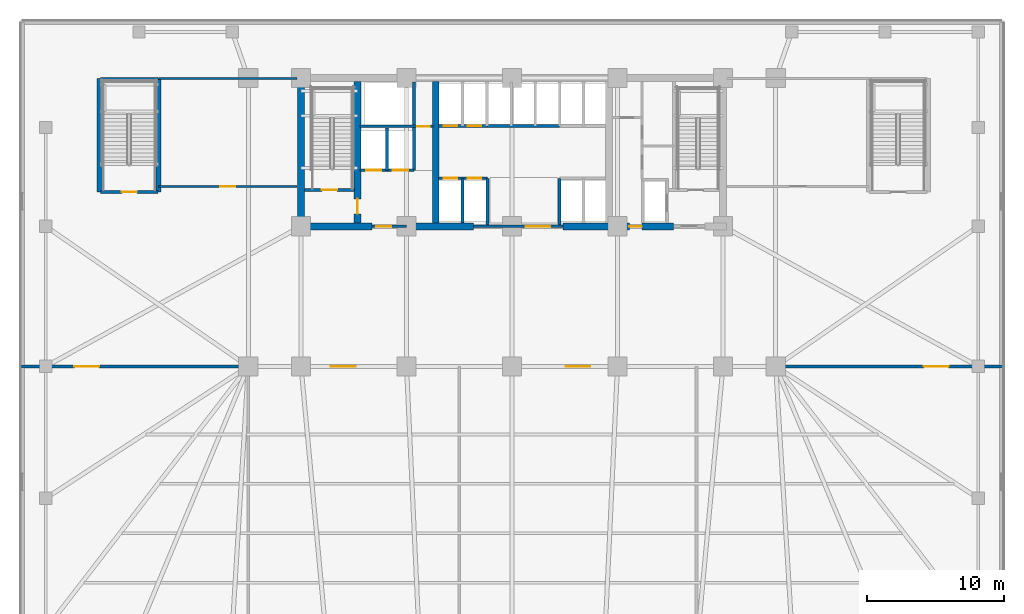
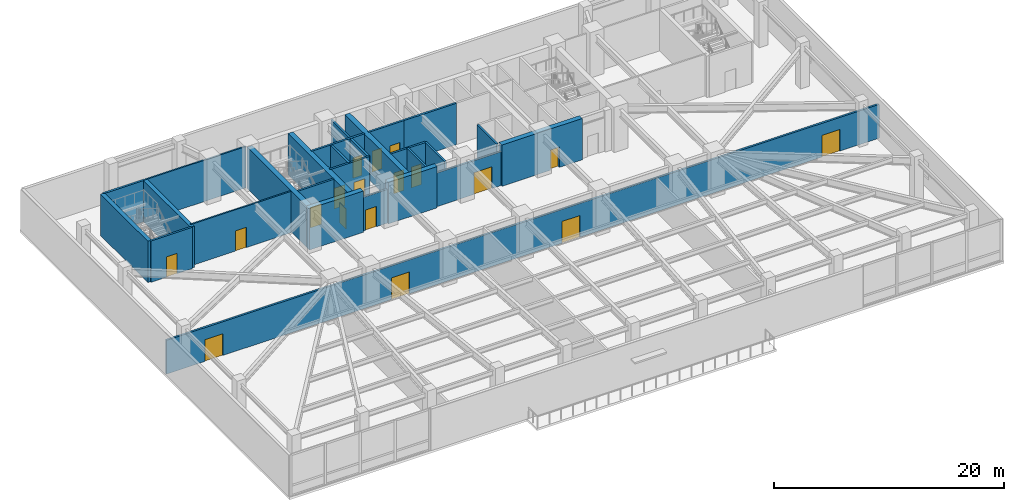
# One storey, part 8 of 15: 26 walls, 18 doors, 18 openings.
"""IFC4 building model written with IfcOpenShell, lengths in metres."""

from ifc_helpers import new_model, si_unit, direction, frame, frame_2d, origin, place, context, subcontext, project, spatial, rectangle, extrude, material, layer, layer_set, type_object, element, fill, save


model = new_model("IFC4")

# Units and contexts
model_context = context("Model", 3, precision=1e-05, world=origin(), true_north=direction((0.0, 1.0)))
body_context = subcontext(model_context, "Body", "Model", "MODEL_VIEW")
ifc_project = project(units=[si_unit("LENGTHUNIT", "METRE"), si_unit("AREAUNIT", "SQUARE_METRE"), si_unit("VOLUMEUNIT", "CUBIC_METRE"), si_unit("PLANEANGLEUNIT", "RADIAN"), si_unit("MASSUNIT", "GRAM", prefix="KILO")], contexts=[model_context])

# Site, building, storey
site_placement = place(None, origin())
site = spatial("IfcSite", under=ifc_project, at=site_placement, CompositionType="ELEMENT")
building_placement = place(site_placement, origin())
building = spatial("IfcBuilding", under=site, at=building_placement, Name="Yelkora Congress Tower", CompositionType="ELEMENT")
storey_placement = place(building_placement, frame((0.0, 0.0, 20.39990234375)))
storey = spatial("IfcBuildingStorey", under=building, at=storey_placement, Name="L04", CompositionType="ELEMENT", Elevation=20.39990234375)

# Walls
ifc_material_1 = material(Name="Concrete C50/60", Category="concrete")
ifc_layer_1 = layer(ifc_material_1, 0.39990234375)
ifc_layer_set_1 = layer_set([ifc_layer_1], Name="Concrete C50/60")
wall_type_1 = type_object("IfcWallType", Name="WALL-CORE-INT-400", PredefinedType="SHEAR", material=ifc_layer_set_1)
for number, where, z_axis, x_axis, name in (
    (1, (8.39990234375, 37.89990234375, 0.0), (0.0, 0.0, 1.0), (0.0, 1.0, 0.0), "L04 STP1 West Shear Wall"),
    (2, (12.659912109375, 37.89990234375, 0.0), (0.0, 0.0, 1.0), (0.0, 1.0, 0.0), "L04 STP1 East Shear Wall"),
):
    element("IfcWall", number, at=place(storey_placement, frame(where, z_axis=z_axis, x_axis=x_axis)), inside=storey, type_object=wall_type_1, Name=name, PredefinedType="SHEAR", context=body_context, shape_type="SweptSolid", body=[
        extrude(rectangle(XDim=8.25, YDim=0.39990234375, at=frame_2d((4.125, 0.0))), origin(), (0.0, 0.0, 1.0), 4.380126953125),
    ])
ifc_material_2 = material(Name="Concrete C60/75", Category="concrete")
ifc_layer_2 = layer(ifc_material_2, 0.5)
ifc_layer_set_2 = layer_set([ifc_layer_2], Name="Concrete C60/75")
wall_type_2 = type_object("IfcWallType", Name="WALL-CORE-INT-500", PredefinedType="SHEAR", material=ifc_layer_set_2)
wall_1_placement = place(storey_placement, frame((22.7900390625, 35.39990234375, 0.0), z_axis=(0.0, 0.0, 1.0), x_axis=(1.0, 0.0, 0.0)))
element("IfcWall", 3, at=wall_1_placement, inside=storey, type_object=wall_type_2, Name="L04 Rear Core South-West Shear Wall", PredefinedType="SHEAR", context=body_context, shape_type="SweptSolid", body=[
    extrude(rectangle(XDim=5.409912109375, YDim=0.5, at=frame_2d((2.705078125, 0.0))), origin(), (0.0, 0.0, 1.0), 4.380126953125),
])
wall_2_placement = place(storey_placement, frame((30.719970703125, 35.39990234375, 0.0), z_axis=(0.0, 0.0, 1.0), x_axis=(1.0, 0.0, 0.0)))
element("IfcWall", 4, at=wall_2_placement, inside=storey, type_object=wall_type_2, Name="L04 Rear Core South-Center Shear Pier", PredefinedType="SHEAR", context=body_context, shape_type="SweptSolid", body=[
    extrude(rectangle(XDim=4.880126953125, YDim=0.5, at=frame_2d((2.43994140625, 0.0))), origin(), (0.0, 0.0, 1.0), 4.380126953125),
])

# Wall, opening, door
wall_3_placement = place(storey_placement, frame((42.10009765625, 35.39990234375, 0.0), z_axis=(0.0, 0.0, 1.0), x_axis=(1.0, 0.0, 0.0)))
wall_3 = element("IfcWall", 5, at=wall_3_placement, inside=storey, type_object=wall_type_2, Name="L04 Rear Core South-East Shear Wall A", PredefinedType="SHEAR", context=body_context, shape_type="SweptSolid", body=[
    extrude(rectangle(XDim=8.0498046875, YDim=0.5, at=frame_2d((4.02490234375, 0.0))), origin(), (0.0, 0.0, 1.0), 4.380126953125),
])
opening_1_placement = place(wall_3_placement, frame((4.85009765625, 0.0, 0.0)))
opening_1 = element("IfcOpeningElement", 6, at=opening_1_placement, cuts=wall_3, Name="Opening DR-090F6", PredefinedType="OPENING", context=body_context, shape_type="SweptSolid", body=[
    extrude(rectangle(XDim=0.89990234375, YDim=2.14990234375, at=frame_2d((0.449951171875, 1.074951171875))), frame((0.0, 0.260009765625, 0.0), z_axis=(0.0, -1.0, 0.0), x_axis=(1.0, 0.0, 0.0)), (0.0, 0.0, 1.0), 0.52001953125),
])
ifc_material_3 = material(Name="Painted steel riser fire door leaf", Category="steel")
door_type_1 = type_object("IfcDoorType", Name="DOOR-FD60-900", OperationType="NOTDEFINED", PredefinedType="DOOR", material=ifc_material_3)
door_1_placement = place(opening_1_placement, origin())
door_1 = element("IfcDoor", 7, at=door_1_placement, inside=storey, type_object=door_type_1, Name="L04 Core Washroom Lobby Door", OperationType="SINGLE_SWING_RIGHT", OverallHeight=2.14990234375, OverallWidth=0.89990234375, PredefinedType="DOOR", context=body_context, shape_type="SweptSolid", body=[
    extrude(rectangle(XDim=0.89990234375, YDim=2.14990234375, at=frame_2d((0.449951171875, 1.074951171875))), frame((0.0, 0.02490234375, 0.0), z_axis=(0.0, -1.0, 0.0), x_axis=(1.0, 0.0, 0.0)), (0.0, 0.0, 1.0), 0.050048828125),
])
fill(opening_1, door_1)

# Wall
wall_4_placement = place(storey_placement, frame((23.0400390625, 35.64990234375, 0.0), z_axis=(0.0, 0.0, 1.0), x_axis=(0.0, 1.0, 0.0)))
element("IfcWall", 8, at=wall_4_placement, inside=storey, type_object=wall_type_2, Name="L04 Rear Core Cross Shear Wall W", PredefinedType="SHEAR", context=body_context, shape_type="SweptSolid", body=[
    extrude(rectangle(XDim=10.300048828125, YDim=0.5, at=frame_2d((5.14990234375, 0.0))), origin(), (0.0, 0.0, 1.0), 4.380126953125),
])

# Wall, opening, door
wall_5_placement = place(storey_placement, frame((27.14990234375, 35.64990234375, 0.0), z_axis=(0.0, 0.0, 1.0), x_axis=(0.0, 1.0, 0.0)))
wall_5 = element("IfcWall", 9, at=wall_5_placement, inside=storey, type_object=wall_type_2, Name="L04 Rear Core Cross Shear Wall C1", PredefinedType="SHEAR", context=body_context, shape_type="SweptSolid", body=[
    extrude(rectangle(XDim=10.300048828125, YDim=0.5, at=frame_2d((5.14990234375, 0.0))), origin(), (0.0, 0.0, 1.0), 4.380126953125),
])
opening_2_placement = place(wall_5_placement, frame((0.64990234375, 0.0, 0.0)))
opening_2 = element("IfcOpeningElement", 10, at=opening_2_placement, cuts=wall_5, Name="Opening DR-110F9", PredefinedType="OPENING", context=body_context, shape_type="SweptSolid", body=[
    extrude(rectangle(XDim=1.10009765625, YDim=2.14990234375, at=frame_2d((0.550048828125, 1.074951171875))), frame((0.0, 0.260009765625, 0.0), z_axis=(0.0, -1.0, 0.0), x_axis=(1.0, 0.0, 0.0)), (0.0, 0.0, 1.0), 0.52001953125),
])
ifc_material_4 = material(Name="Galvanised steel fire door leaf", Category="steel")
door_type_2 = type_object("IfcDoorType", Name="DOOR-FD90-1100", OperationType="NOTDEFINED", PredefinedType="DOOR", material=ifc_material_4)
door_2_placement = place(opening_2_placement, origin())
door_2 = element("IfcDoor", 11, at=door_2_placement, inside=storey, type_object=door_type_2, Name="L04 Firefighting Stair Transfer Door", OperationType="SINGLE_SWING_LEFT", OverallHeight=2.14990234375, OverallWidth=1.10009765625, PredefinedType="DOOR", context=body_context, shape_type="SweptSolid", body=[
    extrude(rectangle(XDim=1.10009765625, YDim=2.14990234375, at=frame_2d((0.550048828125, 1.074951171875))), frame((0.0, 0.02490234375, 0.0), z_axis=(0.0, -1.0, 0.0), x_axis=(1.0, 0.0, 0.0)), (0.0, 0.0, 1.0), 0.050048828125),
])
fill(opening_2, door_2)

# Wall
wall_6_placement = place(storey_placement, frame((32.85009765625, 35.64990234375, 0.0), z_axis=(0.0, 0.0, 1.0), x_axis=(0.0, 1.0, 0.0)))
element("IfcWall", 12, at=wall_6_placement, inside=storey, type_object=wall_type_2, Name="L04 Rear Core Cross Shear Wall C2", PredefinedType="SHEAR", context=body_context, shape_type="SweptSolid", body=[
    extrude(rectangle(XDim=10.300048828125, YDim=0.5, at=frame_2d((5.14990234375, 0.0))), origin(), (0.0, 0.0, 1.0), 4.380126953125),
])

# Wall, opening, door
ifc_material_5 = material(Name="Acoustic metal-stud gypsum partition", Category="gypsum")
ifc_layer_3 = layer(ifc_material_5, 0.14990234375)
ifc_layer_set_3 = layer_set([ifc_layer_3], Name="Acoustic metal-stud gypsum partition")
wall_type_3 = type_object("IfcWallType", Name="WALL-INT-150-NR", PredefinedType="PARTITIONING", material=ifc_layer_set_3)
wall_7_placement = place(storey_placement, frame((12.64990234375, 38.300048828125, 0.0), z_axis=(0.0, 0.0, 1.0), x_axis=(1.0, 0.0, 0.0)))
wall_7 = element("IfcWall", 13, at=wall_7_placement, inside=storey, type_object=wall_type_3, Name="L04 Partition Wall 35", PredefinedType="PARTITIONING", context=body_context, shape_type="SweptSolid", body=[
    extrude(rectangle(XDim=10.10009765625, YDim=0.14990234375, at=frame_2d((5.050048828125, 0.0))), origin(), (0.0, 0.0, 1.0), 4.380126953125),
])
opening_3_placement = place(wall_7_placement, frame((4.5, 0.0, 0.0)))
opening_3 = element("IfcOpeningElement", 14, at=opening_3_placement, cuts=wall_7, Name="Opening DR-110N", PredefinedType="OPENING", context=body_context, shape_type="SweptSolid", body=[
    extrude(rectangle(XDim=1.10009765625, YDim=2.14990234375, at=frame_2d((0.550048828125, 1.074951171875))), frame((0.0, 0.0849609375, 0.0), z_axis=(0.0, -1.0, 0.0), x_axis=(1.0, 0.0, 0.0)), (0.0, 0.0, 1.0), 0.169921875),
])
ifc_material_6 = material(Name="Solid-core Anatolian oak veneer door", Category="wood")
door_type_3 = type_object("IfcDoorType", Name="DOOR-INT-1100", OperationType="NOTDEFINED", PredefinedType="DOOR", material=ifc_material_6)
door_3_placement = place(opening_3_placement, origin())
door_3 = element("IfcDoor", 15, at=door_3_placement, inside=storey, type_object=door_type_3, Name="L04 Interior Door 19", OperationType="SINGLE_SWING_LEFT", OverallHeight=2.14990234375, OverallWidth=1.10009765625, PredefinedType="DOOR", context=body_context, shape_type="SweptSolid", body=[
    extrude(rectangle(XDim=1.10009765625, YDim=2.14990234375, at=frame_2d((0.550048828125, 1.074951171875))), frame((0.0, 0.02490234375, 0.0), z_axis=(0.0, -1.0, 0.0), x_axis=(1.0, 0.0, 0.0)), (0.0, 0.0, 1.0), 0.050048828125),
])
fill(opening_3, door_3)

# Wall
wall_8_placement = place(storey_placement, frame((12.64990234375, 46.14990234375, 0.0), z_axis=(0.0, 0.0, 1.0), x_axis=(1.0, 0.0, 0.0)))
element("IfcWall", 16, at=wall_8_placement, inside=storey, type_object=wall_type_3, Name="L04 Partition Wall 36", PredefinedType="PARTITIONING", context=body_context, shape_type="SweptSolid", body=[
    extrude(rectangle(XDim=10.10009765625, YDim=0.14990234375, at=frame_2d((5.050048828125, 0.0))), origin(), (0.0, 0.0, 1.0), 4.380126953125),
])

# Wall, opening, door
ifc_material_7 = material(Name="Autoclaved aerated concrete blockwork", Category="masonry")
ifc_layer_4 = layer(ifc_material_7, 0.199951171875)
ifc_layer_set_4 = layer_set([ifc_layer_4], Name="Autoclaved aerated concrete blockwork")
wall_type_4 = type_object("IfcWallType", Name="WALL-INT-200-R120", PredefinedType="PARTITIONING", material=ifc_layer_set_4)
wall_9_placement = place(storey_placement, frame((23.300048828125, 38.050048828125, 0.0), z_axis=(0.0, 0.0, 1.0), x_axis=(1.0, 0.0, 0.0)))
wall_9 = element("IfcWall", 17, at=wall_9_placement, inside=storey, type_object=wall_type_4, Name="L04 Stair ST-01 Enclosure Wall", PredefinedType="PARTITIONING", context=body_context, shape_type="SweptSolid", body=[
    extrude(rectangle(XDim=3.619873046875, YDim=0.199951171875, at=frame_2d((1.81005859375, 0.0))), origin(), (0.0, 0.0, 1.0), 4.380126953125),
])
opening_4_placement = place(wall_9_placement, frame((1.260009765625, 0.0, 0.0)))
opening_4 = element("IfcOpeningElement", 18, at=opening_4_placement, cuts=wall_9, Name="Opening DR-110F9", PredefinedType="OPENING", context=body_context, shape_type="SweptSolid", body=[
    extrude(rectangle(XDim=1.10009765625, YDim=2.14990234375, at=frame_2d((0.550048828125, 1.074951171875))), frame((0.0, 0.10986328125, 0.0), z_axis=(0.0, -1.0, 0.0), x_axis=(1.0, 0.0, 0.0)), (0.0, 0.0, 1.0), 0.219970703125),
])
door_4_placement = place(opening_4_placement, origin())
door_4 = element("IfcDoor", 19, at=door_4_placement, inside=storey, type_object=door_type_2, Name="L04 Stair ST-01 Entry Door", OperationType="SINGLE_SWING_LEFT", OverallHeight=2.14990234375, OverallWidth=1.10009765625, PredefinedType="DOOR", context=body_context, shape_type="SweptSolid", body=[
    extrude(rectangle(XDim=1.10009765625, YDim=2.14990234375, at=frame_2d((0.550048828125, 1.074951171875))), frame((0.0, 0.02490234375, 0.0), z_axis=(0.0, -1.0, 0.0), x_axis=(1.0, 0.0, 0.0)), (0.0, 0.0, 1.0), 0.050048828125),
])
fill(opening_4, door_4)

wall_10_placement = place(storey_placement, frame((28.219970703125, 35.39990234375, 0.0), z_axis=(0.0, 0.0, 1.0), x_axis=(1.0, 0.0, 0.0)))
wall_10 = element("IfcWall", 20, at=wall_10_placement, inside=storey, type_object=wall_type_4, Name="L04 Firefighting Lobby South Wall", PredefinedType="PARTITIONING", context=body_context, shape_type="SweptSolid", body=[
    extrude(rectangle(XDim=2.5, YDim=0.199951171875, at=frame_2d((1.25, 0.0))), origin(), (0.0, 0.0, 1.0), 3.5751953125),
])
opening_5_placement = place(wall_10_placement, frame((0.300048828125, 0.0, 0.0)))
opening_5 = element("IfcOpeningElement", 21, at=opening_5_placement, cuts=wall_10, Name="Opening DR-110F9", PredefinedType="OPENING", context=body_context, shape_type="SweptSolid", body=[
    extrude(rectangle(XDim=1.10009765625, YDim=2.14990234375, at=frame_2d((0.550048828125, 1.074951171875))), frame((0.0, 0.10986328125, 0.0), z_axis=(0.0, -1.0, 0.0), x_axis=(1.0, 0.0, 0.0)), (0.0, 0.0, 1.0), 0.219970703125),
])
door_5_placement = place(opening_5_placement, origin())
door_5 = element("IfcDoor", 22, at=door_5_placement, inside=storey, type_object=door_type_2, Name="L04 Firefighting Lobby Corridor Door", OperationType="SINGLE_SWING_RIGHT", OverallHeight=2.14990234375, OverallWidth=1.10009765625, PredefinedType="DOOR", context=body_context, shape_type="SweptSolid", body=[
    extrude(rectangle(XDim=1.10009765625, YDim=2.14990234375, at=frame_2d((0.550048828125, 1.074951171875))), frame((0.0, 0.02490234375, 0.0), z_axis=(0.0, -1.0, 0.0), x_axis=(1.0, 0.0, 0.0)), (0.0, 0.0, 1.0), 0.050048828125),
])
fill(opening_5, door_5)

# Wall, openings, doors
wall_11_placement = place(storey_placement, frame((27.320068359375, 39.47998046875, 0.0), z_axis=(0.0, 0.0, 1.0), x_axis=(1.0, 0.0, 0.0)))
wall_11 = element("IfcWall", 23, at=wall_11_placement, inside=storey, type_object=wall_type_4, Name="L04 Firefighting Lift Front Wall", PredefinedType="PARTITIONING", context=body_context, shape_type="SweptSolid", body=[
    extrude(rectangle(XDim=3.93994140625, YDim=0.199951171875, at=frame_2d((1.969970703125, 0.0))), origin(), (0.0, 0.0, 1.0), 4.380126953125),
])
opening_6_placement = place(wall_11_placement, frame((0.449951171875, 0.0, 0.0)))
opening_6 = element("IfcOpeningElement", 24, at=opening_6_placement, cuts=wall_11, Name="Opening LD-FF11", PredefinedType="OPENING", context=body_context, shape_type="SweptSolid", body=[
    extrude(rectangle(XDim=1.10009765625, YDim=2.199951171875, at=frame_2d((0.550048828125, 1.10009765625))), frame((0.0, 0.10986328125, 0.0), z_axis=(0.0, -1.0, 0.0), x_axis=(1.0, 0.0, 0.0)), (0.0, 0.0, 1.0), 0.219970703125),
])
opening_7_placement = place(wall_11_placement, frame((2.409912109375, 0.0, 0.0)))
opening_7 = element("IfcOpeningElement", 25, at=opening_7_placement, cuts=wall_11, Name="Opening LD-FF11", PredefinedType="OPENING", context=body_context, shape_type="SweptSolid", body=[
    extrude(rectangle(XDim=1.10009765625, YDim=2.199951171875, at=frame_2d((0.550048828125, 1.10009765625))), frame((0.0, 0.10986328125, 0.0), z_axis=(0.0, -1.0, 0.0), x_axis=(1.0, 0.0, 0.0)), (0.0, 0.0, 1.0), 0.219970703125),
])
ifc_material_8 = material(Name="Brushed stainless steel 316L landing door", Category="steel")
door_type_4 = type_object("IfcDoorType", Name="DOOR-LIFT-FF-1100", OperationType="DOUBLE_DOOR_SLIDING", PredefinedType="DOOR", material=ifc_material_8)
door_6_placement = place(opening_6_placement, origin())
door_6 = element("IfcDoor", 26, at=door_6_placement, inside=storey, type_object=door_type_4, Name="Lift Landing Door LF-FF1 L04", OperationType="DOUBLE_DOOR_SLIDING", OverallHeight=2.199951171875, OverallWidth=1.10009765625, PredefinedType="DOOR", context=body_context, shape_type="SweptSolid", body=[
    extrude(rectangle(XDim=1.10009765625, YDim=2.199951171875, at=frame_2d((0.550048828125, 1.10009765625))), frame((0.0, 0.02490234375, 0.0), z_axis=(0.0, -1.0, 0.0), x_axis=(1.0, 0.0, 0.0)), (0.0, 0.0, 1.0), 0.050048828125),
])
fill(opening_6, door_6)
door_7_placement = place(opening_7_placement, origin())
door_7 = element("IfcDoor", 27, at=door_7_placement, inside=storey, type_object=door_type_4, Name="Lift Landing Door LF-FF2 L04", OperationType="DOUBLE_DOOR_SLIDING", OverallHeight=2.199951171875, OverallWidth=1.10009765625, PredefinedType="DOOR", context=body_context, shape_type="SweptSolid", body=[
    extrude(rectangle(XDim=1.10009765625, YDim=2.199951171875, at=frame_2d((0.550048828125, 1.10009765625))), frame((0.0, 0.02490234375, 0.0), z_axis=(0.0, -1.0, 0.0), x_axis=(1.0, 0.0, 0.0)), (0.0, 0.0, 1.0), 0.050048828125),
])
fill(opening_7, door_7)

# Walls
wall_12_placement = place(storey_placement, frame((29.300048828125, 39.47998046875, 0.0), z_axis=(0.0, 0.0, 1.0), x_axis=(0.0, 1.0, 0.0)))
element("IfcWall", 28, at=wall_12_placement, inside=storey, type_object=wall_type_4, Name="L04 Partition Wall 4", PredefinedType="PARTITIONING", context=body_context, shape_type="SweptSolid", body=[
    extrude(rectangle(XDim=3.070068359375, YDim=0.199951171875, at=frame_2d((1.53515625, 0.0))), origin(), (0.0, 0.0, 1.0), 4.380126953125),
])
wall_13_placement = place(storey_placement, frame((31.260009765625, 39.47998046875, 0.0), z_axis=(0.0, 0.0, 1.0), x_axis=(0.0, 1.0, 0.0)))
element("IfcWall", 29, at=wall_13_placement, inside=storey, type_object=wall_type_4, Name="L04 Partition Wall 5", PredefinedType="PARTITIONING", context=body_context, shape_type="SweptSolid", body=[
    extrude(rectangle(XDim=6.43994140625, YDim=0.199951171875, at=frame_2d((3.219970703125, 0.0))), origin(), (0.0, 0.0, 1.0), 4.380126953125),
])

# Wall, opening, door
wall_14_placement = place(storey_placement, frame((27.320068359375, 42.679931640625, 0.0), z_axis=(0.0, 0.0, 1.0), x_axis=(1.0, 0.0, 0.0)))
wall_14 = element("IfcWall", 30, at=wall_14_placement, inside=storey, type_object=wall_type_4, Name="L04 Smoke Riser South Wall", PredefinedType="PARTITIONING", context=body_context, shape_type="SweptSolid", body=[
    extrude(rectangle(XDim=5.329833984375, YDim=0.199951171875, at=frame_2d((2.6650390625, 0.0))), origin(), (0.0, 0.0, 1.0), 4.380126953125),
])
opening_8_placement = place(wall_14_placement, frame((4.179931640625, 0.0, 0.0)))
opening_8 = element("IfcOpeningElement", 31, at=opening_8_placement, cuts=wall_14, Name="Opening DR-090F6", PredefinedType="OPENING", context=body_context, shape_type="SweptSolid", body=[
    extrude(rectangle(XDim=0.89990234375, YDim=2.14990234375, at=frame_2d((0.449951171875, 1.074951171875))), frame((0.0, 0.10986328125, 0.0), z_axis=(0.0, -1.0, 0.0), x_axis=(1.0, 0.0, 0.0)), (0.0, 0.0, 1.0), 0.219970703125),
])
door_8_placement = place(opening_8_placement, origin())
door_8 = element("IfcDoor", 32, at=door_8_placement, inside=storey, type_object=door_type_1, Name="L04 Riser Access Door", OperationType="SINGLE_SWING_LEFT", OverallHeight=2.14990234375, OverallWidth=0.89990234375, PredefinedType="DOOR", context=body_context, shape_type="SweptSolid", body=[
    extrude(rectangle(XDim=0.89990234375, YDim=2.14990234375, at=frame_2d((0.449951171875, 1.074951171875))), frame((0.0, 0.02490234375, 0.0), z_axis=(0.0, -1.0, 0.0), x_axis=(1.0, 0.0, 0.0)), (0.0, 0.0, 1.0), 0.050048828125),
])
fill(opening_8, door_8)

wall_15_placement = place(storey_placement, frame((35.60009765625, 35.39990234375, 0.0), z_axis=(0.0, 0.0, 1.0), x_axis=(1.0, 0.0, 0.0)))
wall_15 = element("IfcWall", 33, at=wall_15_placement, inside=storey, type_object=wall_type_4, Name="L04 Main Lift Lobby South Portal Wall", PredefinedType="PARTITIONING", context=body_context, shape_type="SweptSolid", body=[
    extrude(rectangle(XDim=6.5, YDim=0.199951171875, at=frame_2d((3.25, 0.0))), origin(), (0.0, 0.0, 1.0), 3.5751953125),
])
opening_9_placement = place(wall_15_placement, frame((3.800048828125, 0.0, 0.0)))
opening_9 = element("IfcOpeningElement", 34, at=opening_9_placement, cuts=wall_15, Name="Opening DR-180D", PredefinedType="OPENING", context=body_context, shape_type="SweptSolid", body=[
    extrude(rectangle(XDim=1.800048828125, YDim=2.300048828125, at=frame_2d((0.89990234375, 1.14990234375))), frame((0.0, 0.10986328125, 0.0), z_axis=(0.0, -1.0, 0.0), x_axis=(1.0, 0.0, 0.0)), (0.0, 0.0, 1.0), 0.219970703125),
])
ifc_material_9 = material(Name="Acoustic double congress hall doors", Category="wood")
door_type_5 = type_object("IfcDoorType", Name="DOOR-DBL-1800", OperationType="DOUBLE_DOOR_SINGLE_SWING", PredefinedType="DOOR", material=ifc_material_9)
door_9_placement = place(opening_9_placement, origin())
door_9 = element("IfcDoor", 35, at=door_9_placement, inside=storey, type_object=door_type_5, Name="L04 Main Lift Lobby Portal Door", OperationType="DOUBLE_DOOR_SINGLE_SWING", OverallHeight=2.300048828125, OverallWidth=1.800048828125, PredefinedType="DOOR", context=body_context, shape_type="SweptSolid", body=[
    extrude(rectangle(XDim=1.800048828125, YDim=2.300048828125, at=frame_2d((0.89990234375, 1.14990234375))), frame((0.0, 0.02490234375, 0.0), z_axis=(0.0, -1.0, 0.0), x_axis=(1.0, 0.0, 0.0)), (0.0, 0.0, 1.0), 0.050048828125),
])
fill(opening_9, door_9)

# Wall
wall_16_placement = place(storey_placement, frame((36.60009765625, 42.699951171875, 0.0), z_axis=(0.0, 0.0, 1.0), x_axis=(1.0, 0.0, 0.0)))
element("IfcWall", 36, at=wall_16_placement, inside=storey, type_object=wall_type_4, Name="L04 Partition Wall 8", PredefinedType="PARTITIONING", context=body_context, shape_type="SweptSolid", body=[
    extrude(rectangle(XDim=5.25, YDim=0.199951171875, at=frame_2d((2.625, 0.0))), origin(), (0.0, 0.0, 1.0), 4.380126953125),
])

# Wall, openings, doors
wall_17_placement = place(storey_placement, frame((33.050048828125, 38.89990234375, 0.0), z_axis=(0.0, 0.0, 1.0), x_axis=(1.0, 0.0, 0.0)))
wall_17 = element("IfcWall", 37, at=wall_17_placement, inside=storey, type_object=wall_type_4, Name="L04 Partition Wall 11", PredefinedType="PARTITIONING", context=body_context, shape_type="SweptSolid", body=[
    extrude(rectangle(XDim=3.570068359375, YDim=0.199951171875, at=frame_2d((1.78515625, 0.0))), origin(), (0.0, 0.0, 1.0), 4.380126953125),
])
opening_10_placement = place(wall_17_placement, frame((0.375, 0.0, 0.0)))
opening_10 = element("IfcOpeningElement", 38, at=opening_10_placement, cuts=wall_17, Name="Opening LD-PS10", PredefinedType="OPENING", context=body_context, shape_type="SweptSolid", body=[
    extrude(rectangle(XDim=1.0, YDim=2.199951171875, at=frame_2d((0.5, 1.10009765625))), frame((0.0, 0.10986328125, 0.0), z_axis=(0.0, -1.0, 0.0), x_axis=(1.0, 0.0, 0.0)), (0.0, 0.0, 1.0), 0.219970703125),
])
opening_11_placement = place(wall_17_placement, frame((2.125, 0.0, 0.0)))
opening_11 = element("IfcOpeningElement", 39, at=opening_11_placement, cuts=wall_17, Name="Opening LD-PS10", PredefinedType="OPENING", context=body_context, shape_type="SweptSolid", body=[
    extrude(rectangle(XDim=1.0, YDim=2.199951171875, at=frame_2d((0.5, 1.10009765625))), frame((0.0, 0.10986328125, 0.0), z_axis=(0.0, -1.0, 0.0), x_axis=(1.0, 0.0, 0.0)), (0.0, 0.0, 1.0), 0.219970703125),
])
ifc_material_10 = material(Name="Champagne stainless steel landing door", Category="steel")
door_type_6 = type_object("IfcDoorType", Name="DOOR-LIFT-PAS-1000", OperationType="DOUBLE_DOOR_SLIDING", PredefinedType="DOOR", material=ifc_material_10)
door_10_placement = place(opening_10_placement, origin())
door_10 = element("IfcDoor", 40, at=door_10_placement, inside=storey, type_object=door_type_6, Name="Lift Landing Door LF-P1 L04", OperationType="DOUBLE_DOOR_SLIDING", OverallHeight=2.199951171875, OverallWidth=1.0, PredefinedType="DOOR", context=body_context, shape_type="SweptSolid", body=[
    extrude(rectangle(XDim=1.0, YDim=2.199951171875, at=frame_2d((0.5, 1.10009765625))), frame((0.0, 0.02490234375, 0.0), z_axis=(0.0, -1.0, 0.0), x_axis=(1.0, 0.0, 0.0)), (0.0, 0.0, 1.0), 0.050048828125),
])
fill(opening_10, door_10)
door_11_placement = place(opening_11_placement, origin())
door_11 = element("IfcDoor", 41, at=door_11_placement, inside=storey, type_object=door_type_6, Name="Lift Landing Door LF-P2 L04", OperationType="DOUBLE_DOOR_SLIDING", OverallHeight=2.199951171875, OverallWidth=1.0, PredefinedType="DOOR", context=body_context, shape_type="SweptSolid", body=[
    extrude(rectangle(XDim=1.0, YDim=2.199951171875, at=frame_2d((0.5, 1.10009765625))), frame((0.0, 0.02490234375, 0.0), z_axis=(0.0, -1.0, 0.0), x_axis=(1.0, 0.0, 0.0)), (0.0, 0.0, 1.0), 0.050048828125),
])
fill(opening_11, door_11)

wall_18_placement = place(storey_placement, frame((33.050048828125, 42.699951171875, 0.0), z_axis=(0.0, 0.0, 1.0), x_axis=(1.0, 0.0, 0.0)))
wall_18 = element("IfcWall", 42, at=wall_18_placement, inside=storey, type_object=wall_type_4, Name="L04 Partition Wall 12", PredefinedType="PARTITIONING", context=body_context, shape_type="SweptSolid", body=[
    extrude(rectangle(XDim=3.570068359375, YDim=0.199951171875, at=frame_2d((1.78515625, 0.0))), origin(), (0.0, 0.0, 1.0), 4.380126953125),
])
opening_12_placement = place(wall_18_placement, frame((0.375, 0.0, 0.0)))
opening_12 = element("IfcOpeningElement", 43, at=opening_12_placement, cuts=wall_18, Name="Opening LD-PS10", PredefinedType="OPENING", context=body_context, shape_type="SweptSolid", body=[
    extrude(rectangle(XDim=1.0, YDim=2.199951171875, at=frame_2d((0.5, 1.10009765625))), frame((0.0, 0.10986328125, 0.0), z_axis=(0.0, -1.0, 0.0), x_axis=(1.0, 0.0, 0.0)), (0.0, 0.0, 1.0), 0.219970703125),
])
opening_13_placement = place(wall_18_placement, frame((2.125, 0.0, 0.0)))
opening_13 = element("IfcOpeningElement", 44, at=opening_13_placement, cuts=wall_18, Name="Opening LD-PS10", PredefinedType="OPENING", context=body_context, shape_type="SweptSolid", body=[
    extrude(rectangle(XDim=1.0, YDim=2.199951171875, at=frame_2d((0.5, 1.10009765625))), frame((0.0, 0.10986328125, 0.0), z_axis=(0.0, -1.0, 0.0), x_axis=(1.0, 0.0, 0.0)), (0.0, 0.0, 1.0), 0.219970703125),
])
door_12_placement = place(opening_12_placement, origin())
door_12 = element("IfcDoor", 45, at=door_12_placement, inside=storey, type_object=door_type_6, Name="Lift Landing Door LF-P3 L04", OperationType="DOUBLE_DOOR_SLIDING", OverallHeight=2.199951171875, OverallWidth=1.0, PredefinedType="DOOR", context=body_context, shape_type="SweptSolid", body=[
    extrude(rectangle(XDim=1.0, YDim=2.199951171875, at=frame_2d((0.5, 1.10009765625))), frame((0.0, 0.02490234375, 0.0), z_axis=(0.0, -1.0, 0.0), x_axis=(1.0, 0.0, 0.0)), (0.0, 0.0, 1.0), 0.050048828125),
])
fill(opening_12, door_12)
door_13_placement = place(opening_13_placement, origin())
door_13 = element("IfcDoor", 46, at=door_13_placement, inside=storey, type_object=door_type_6, Name="Lift Landing Door LF-P4 L04", OperationType="DOUBLE_DOOR_SLIDING", OverallHeight=2.199951171875, OverallWidth=1.0, PredefinedType="DOOR", context=body_context, shape_type="SweptSolid", body=[
    extrude(rectangle(XDim=1.0, YDim=2.199951171875, at=frame_2d((0.5, 1.10009765625))), frame((0.0, 0.02490234375, 0.0), z_axis=(0.0, -1.0, 0.0), x_axis=(1.0, 0.0, 0.0)), (0.0, 0.0, 1.0), 0.050048828125),
])
fill(opening_13, door_13)

# Walls
wall_19_placement = place(storey_placement, frame((34.800048828125, 35.64990234375, 0.0), z_axis=(0.0, 0.0, 1.0), x_axis=(0.0, 1.0, 0.0)))
element("IfcWall", 47, at=wall_19_placement, inside=storey, type_object=wall_type_4, Name="L04 Partition Wall 13", PredefinedType="PARTITIONING", context=body_context, shape_type="SweptSolid", body=[
    extrude(rectangle(XDim=3.25, YDim=0.199951171875, at=frame_2d((1.625, 0.0))), origin(), (0.0, 0.0, 1.0), 4.380126953125),
])
for number, where, z_axis, x_axis, name in (
    (48, (36.6201171875, 35.5, 0.0), (0.0, 0.0, 1.0), (0.0, 1.0, 0.0), "L04 Partition Wall 15"),
    (49, (41.85009765625, 35.5, 0.0), (0.0, 0.0, 1.0), (0.0, 1.0, 0.0), "L04 Partition Wall 21"),
):
    element("IfcWall", number, at=place(storey_placement, frame(where, z_axis=z_axis, x_axis=x_axis)), inside=storey, type_object=wall_type_4, Name=name, PredefinedType="PARTITIONING", context=body_context, shape_type="SweptSolid", body=[
        extrude(rectangle(XDim=3.39990234375, YDim=0.199951171875, at=frame_2d((1.699951171875, 0.0))), origin(), (0.0, 0.0, 1.0), 4.380126953125),
    ])

# Wall, opening, door
wall_20_placement = place(storey_placement, frame((8.449951171875, 37.89990234375, 0.0), z_axis=(0.0, 0.0, 1.0), x_axis=(1.0, 0.0, 0.0)))
wall_20 = element("IfcWall", 50, at=wall_20_placement, inside=storey, type_object=wall_type_4, Name="L04 Partition Wall 31", PredefinedType="PARTITIONING", context=body_context, shape_type="SweptSolid", body=[
    extrude(rectangle(XDim=4.170166015625, YDim=0.199951171875, at=frame_2d((2.0849609375, 0.0))), origin(), (0.0, 0.0, 1.0), 4.380126953125),
])
opening_14_placement = place(wall_20_placement, frame((1.534912109375, 0.0, 0.0)))
opening_14 = element("IfcOpeningElement", 51, at=opening_14_placement, cuts=wall_20, Name="Opening DR-110F9", PredefinedType="OPENING", context=body_context, shape_type="SweptSolid", body=[
    extrude(rectangle(XDim=1.10009765625, YDim=2.14990234375, at=frame_2d((0.550048828125, 1.074951171875))), frame((0.0, 0.10986328125, 0.0), z_axis=(0.0, -1.0, 0.0), x_axis=(1.0, 0.0, 0.0)), (0.0, 0.0, 1.0), 0.219970703125),
])
door_14_placement = place(opening_14_placement, origin())
door_14 = element("IfcDoor", 52, at=door_14_placement, inside=storey, type_object=door_type_2, Name="L04 ST-P1 Door", OperationType="SINGLE_SWING_LEFT", OverallHeight=2.14990234375, OverallWidth=1.10009765625, PredefinedType="DOOR", context=body_context, shape_type="SweptSolid", body=[
    extrude(rectangle(XDim=1.10009765625, YDim=2.14990234375, at=frame_2d((0.550048828125, 1.074951171875))), frame((0.0, 0.02490234375, 0.0), z_axis=(0.0, -1.0, 0.0), x_axis=(1.0, 0.0, 0.0)), (0.0, 0.0, 1.0), 0.050048828125),
])
fill(opening_14, door_14)

# Wall
wall_21_placement = place(storey_placement, frame((8.449951171875, 46.14990234375, 0.0), z_axis=(0.0, 0.0, 1.0), x_axis=(1.0, 0.0, 0.0)))
element("IfcWall", 53, at=wall_21_placement, inside=storey, type_object=wall_type_4, Name="L04 Partition Wall 32", PredefinedType="PARTITIONING", context=body_context, shape_type="SweptSolid", body=[
    extrude(rectangle(XDim=4.170166015625, YDim=0.199951171875, at=frame_2d((2.0849609375, 0.0))), origin(), (0.0, 0.0, 1.0), 4.380126953125),
])

# Wall, openings, doors
ifc_material_11 = material(Name="Autoclaved high-density acoustic blockwork", Category="masonry")
ifc_layer_5 = layer(ifc_material_11, 0.199951171875)
ifc_layer_set_5 = layer_set([ifc_layer_5], Name="Autoclaved high-density acoustic blockwork")
wall_type_5 = type_object("IfcWallType", Name="WALL-INT-200-R90", PredefinedType="PARTITIONING", material=ifc_layer_set_5)
wall_22_placement = place(storey_placement, frame((2.679931640625, 25.199951171875, 0.0), z_axis=(0.0, 0.0, 1.0), x_axis=(1.0, 0.0, 0.0)))
wall_22 = element("IfcWall", 54, at=wall_22_placement, inside=storey, type_object=wall_type_5, Name="L04 Hall Spine Wall Grid D", PredefinedType="PARTITIONING", context=body_context, shape_type="SweptSolid", body=[
    extrude(rectangle(XDim=71.440185546875, YDim=0.199951171875, at=frame_2d((35.72021484375, 0.0))), origin(), (0.0, 0.0, 1.0), 3.5751953125),
])
opening_15_placement = place(wall_22_placement, frame((3.851318359375, 0.0, 0.0)))
opening_15 = element("IfcOpeningElement", 55, at=opening_15_placement, cuts=wall_22, Name="Opening DR-180D", PredefinedType="OPENING", context=body_context, shape_type="SweptSolid", body=[
    extrude(rectangle(XDim=1.800048828125, YDim=2.300048828125, at=frame_2d((0.89990234375, 1.14990234375))), frame((0.0, 0.10986328125, 0.0), z_axis=(0.0, -1.0, 0.0), x_axis=(1.0, 0.0, 0.0)), (0.0, 0.0, 1.0), 0.219970703125),
])
opening_16_placement = place(wall_22_placement, frame((22.53369140625, 0.0, 0.0)))
opening_16 = element("IfcOpeningElement", 56, at=opening_16_placement, cuts=wall_22, Name="Opening DR-180D", PredefinedType="OPENING", context=body_context, shape_type="SweptSolid", body=[
    extrude(rectangle(XDim=1.800048828125, YDim=2.300048828125, at=frame_2d((0.89990234375, 1.14990234375))), frame((0.0, 0.10986328125, 0.0), z_axis=(0.0, -1.0, 0.0), x_axis=(1.0, 0.0, 0.0)), (0.0, 0.0, 1.0), 0.219970703125),
])
opening_17_placement = place(wall_22_placement, frame((39.6201171875, 0.0, 0.0)))
opening_17 = element("IfcOpeningElement", 57, at=opening_17_placement, cuts=wall_22, Name="Opening DR-180D", PredefinedType="OPENING", context=body_context, shape_type="SweptSolid", body=[
    extrude(rectangle(XDim=1.800048828125, YDim=2.300048828125, at=frame_2d((0.89990234375, 1.14990234375))), frame((0.0, 0.10986328125, 0.0), z_axis=(0.0, -1.0, 0.0), x_axis=(1.0, 0.0, 0.0)), (0.0, 0.0, 1.0), 0.219970703125),
])
opening_18_placement = place(wall_22_placement, frame((65.706298828125, 0.0, 0.0)))
opening_18 = element("IfcOpeningElement", 58, at=opening_18_placement, cuts=wall_22, Name="Opening DR-180D", PredefinedType="OPENING", context=body_context, shape_type="SweptSolid", body=[
    extrude(rectangle(XDim=1.800048828125, YDim=2.300048828125, at=frame_2d((0.89990234375, 1.14990234375))), frame((0.0, 0.10986328125, 0.0), z_axis=(0.0, -1.0, 0.0), x_axis=(1.0, 0.0, 0.0)), (0.0, 0.0, 1.0), 0.219970703125),
])
door_15_placement = place(opening_15_placement, origin())
door_15 = element("IfcDoor", 59, at=door_15_placement, inside=storey, type_object=door_type_5, Name="L04 Breakout Suite 401 Entrance Door", OperationType="DOUBLE_DOOR_SINGLE_SWING", OverallHeight=2.300048828125, OverallWidth=1.800048828125, PredefinedType="DOOR", context=body_context, shape_type="SweptSolid", body=[
    extrude(rectangle(XDim=1.800048828125, YDim=2.300048828125, at=frame_2d((0.89990234375, 1.14990234375))), frame((0.0, 0.02490234375, 0.0), z_axis=(0.0, -1.0, 0.0), x_axis=(1.0, 0.0, 0.0)), (0.0, 0.0, 1.0), 0.050048828125),
])
fill(opening_15, door_15)
door_16_placement = place(opening_16_placement, origin())
door_16 = element("IfcDoor", 60, at=door_16_placement, inside=storey, type_object=door_type_5, Name="L04 Multipurpose Symposium Hall Entrance Door", OperationType="DOUBLE_DOOR_SINGLE_SWING", OverallHeight=2.300048828125, OverallWidth=1.800048828125, PredefinedType="DOOR", context=body_context, shape_type="SweptSolid", body=[
    extrude(rectangle(XDim=1.800048828125, YDim=2.300048828125, at=frame_2d((0.89990234375, 1.14990234375))), frame((0.0, 0.02490234375, 0.0), z_axis=(0.0, -1.0, 0.0), x_axis=(1.0, 0.0, 0.0)), (0.0, 0.0, 1.0), 0.050048828125),
])
fill(opening_16, door_16)
door_17_placement = place(opening_17_placement, origin())
door_17 = element("IfcDoor", 61, at=door_17_placement, inside=storey, type_object=door_type_5, Name="L04 Executive Boardroom Entrance Door", OperationType="DOUBLE_DOOR_SINGLE_SWING", OverallHeight=2.300048828125, OverallWidth=1.800048828125, PredefinedType="DOOR", context=body_context, shape_type="SweptSolid", body=[
    extrude(rectangle(XDim=1.800048828125, YDim=2.300048828125, at=frame_2d((0.89990234375, 1.14990234375))), frame((0.0, 0.02490234375, 0.0), z_axis=(0.0, -1.0, 0.0), x_axis=(1.0, 0.0, 0.0)), (0.0, 0.0, 1.0), 0.050048828125),
])
fill(opening_17, door_17)
door_18_placement = place(opening_18_placement, origin())
door_18 = element("IfcDoor", 62, at=door_18_placement, inside=storey, type_object=door_type_5, Name="L04 Breakout Suite 402 Entrance Door", OperationType="DOUBLE_DOOR_SINGLE_SWING", OverallHeight=2.300048828125, OverallWidth=1.800048828125, PredefinedType="DOOR", context=body_context, shape_type="SweptSolid", body=[
    extrude(rectangle(XDim=1.800048828125, YDim=2.300048828125, at=frame_2d((0.89990234375, 1.14990234375))), frame((0.0, 0.02490234375, 0.0), z_axis=(0.0, -1.0, 0.0), x_axis=(1.0, 0.0, 0.0)), (0.0, 0.0, 1.0), 0.050048828125),
])
fill(opening_18, door_18)

save(model, "model.ifc")
